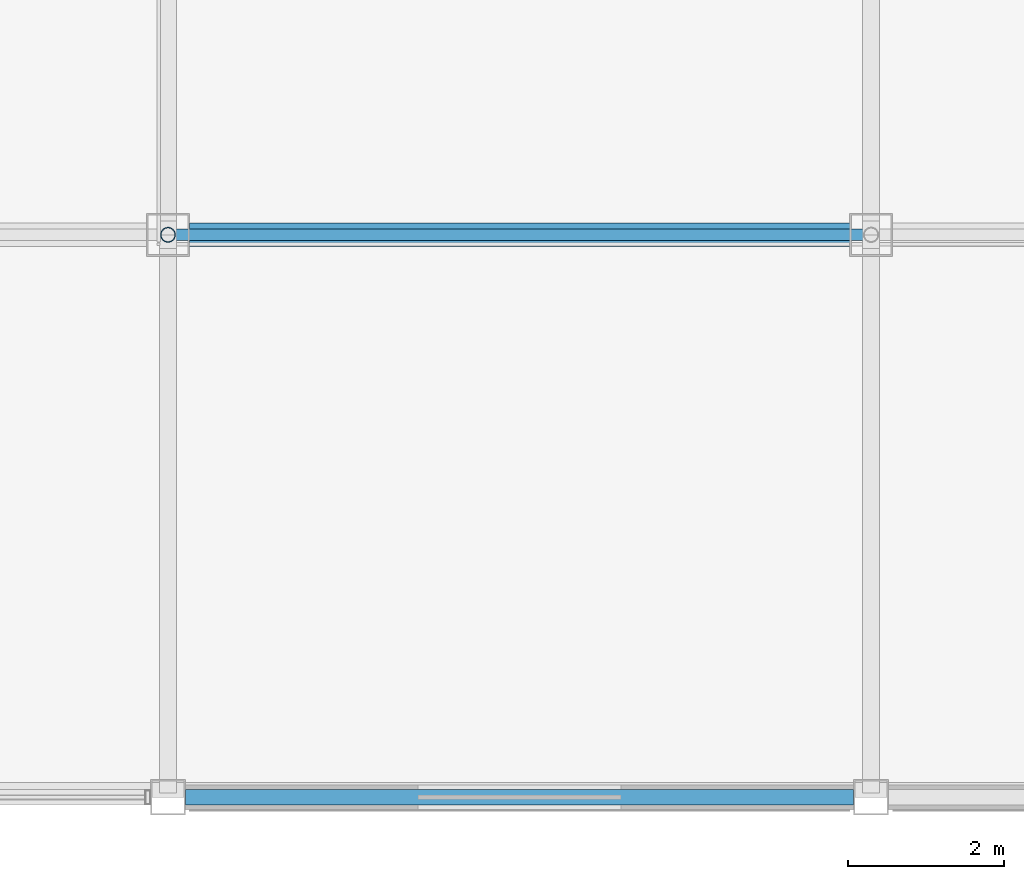
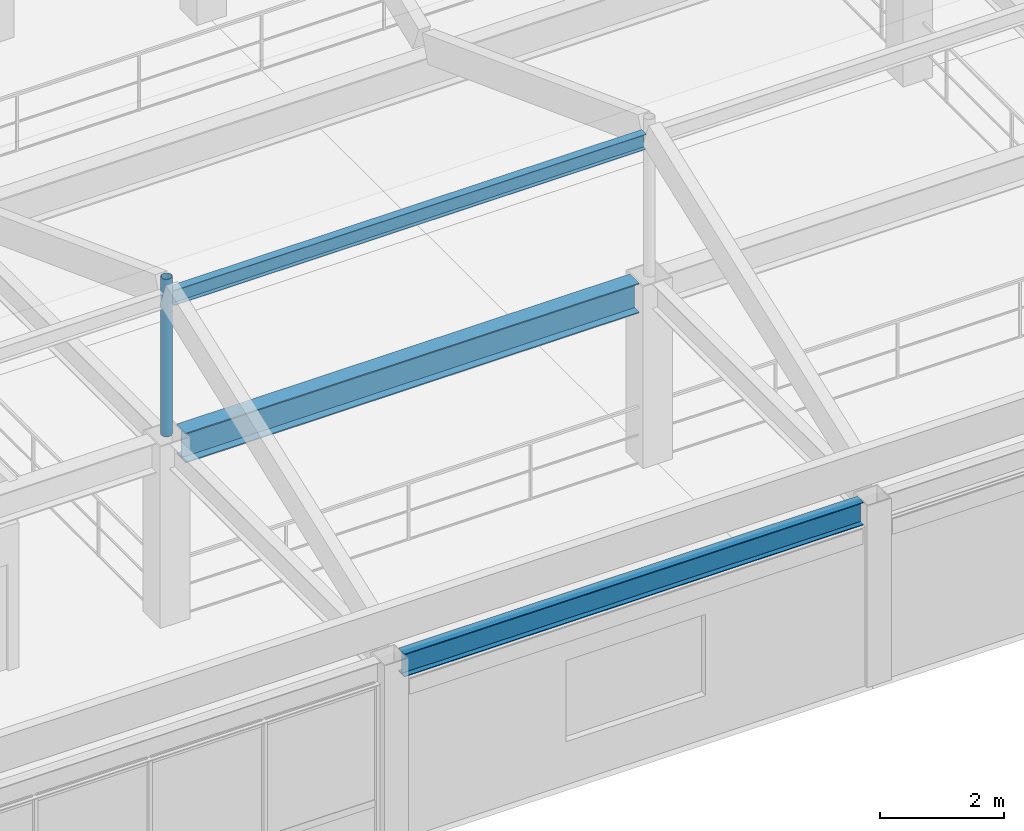
# One storey, part 12 of 113: 3 beams, 1 member.
"""IFC4 building model written with IfcOpenShell, lengths in metres."""

from ifc_helpers import new_model, si_unit, direction, frame, origin, origin_2d, place, context, subcontext, project, spatial, hollow_circle, i_section, extrude, material, material_profile, profile_set, type_object, element, save


model = new_model("IFC4")

# Units and contexts
model_context = context("Model", 3, precision=1e-05, world=origin(), true_north=direction((0.0, 1.0)))
body_context = subcontext(model_context, "Body", "Model", "MODEL_VIEW")
ifc_project = project(units=[si_unit("LENGTHUNIT", "METRE"), si_unit("AREAUNIT", "SQUARE_METRE"), si_unit("VOLUMEUNIT", "CUBIC_METRE"), si_unit("PLANEANGLEUNIT", "RADIAN"), si_unit("MASSUNIT", "GRAM", prefix="KILO")], contexts=[model_context])

# Site, building, storey
site_placement = place(None, origin())
site = spatial("IfcSite", under=ifc_project, at=site_placement, CompositionType="ELEMENT")
building_placement = place(site_placement, origin())
building = spatial("IfcBuilding", under=site, at=building_placement, Name="Kazanami Central Library", CompositionType="ELEMENT")
storey_placement = place(building_placement, frame((0.0, 0.0, 8.800048828125)))
storey = spatial("IfcBuildingStorey", under=building, at=storey_placement, Name="L03", CompositionType="ELEMENT", Elevation=8.800048828125)

# Beams
ifc_material_1 = material(Name="Steel SN490B (325 MPa)", Category="steel")
ifc_material_profile_1 = material_profile(ifc_material_1, i_section(OverallWidth=0.14990234375, OverallDepth=0.300048828125, WebThickness=0.006591796875, FlangeThickness=0.009033203125, at=origin_2d()), Name="H-300x150x6.5x9")
ifc_profile_set_1 = profile_set([ifc_material_profile_1], Name="Steel SN490B (325 MPa)")
beam_type_1 = type_object("IfcBeamType", Name="BM-CAN-300", PredefinedType="SPANDREL", material=ifc_profile_set_1)
beam_1_placement = place(storey_placement, frame((9.097900390625, 7.199951171875, 6.260009765625), z_axis=(1.0, 0.0, 0.0), x_axis=(0.0, 1.0, 0.0)))
element("IfcBeam", 1, at=beam_1_placement, inside=storey, type_object=beam_type_1, Name="Folded Shell Ridge Girder FOLD-L03-V3-S Bay 2", PredefinedType="BEAM", context=body_context, shape_type="SweptSolid", body=[
    extrude(i_section(OverallWidth=0.14990234375, OverallDepth=0.300048828125, WebThickness=0.006591796875, FlangeThickness=0.009033203125, at=origin_2d()), origin(), (0.0, 0.0, 1.0), 8.80419921875),
])
ifc_material_profile_2 = material_profile(ifc_material_1, i_section(OverallWidth=0.300048828125, OverallDepth=0.587890625, WebThickness=0.011962890625, FlangeThickness=0.02001953125, at=origin_2d()), Name="H-588x300x12x20")
ifc_profile_set_2 = profile_set([ifc_material_profile_2], Name="Steel SN490B (325 MPa)")
beam_type_2 = type_object("IfcBeamType", Name="BM-G-X2", PredefinedType="BEAM", material=ifc_profile_set_2)
beam_2_placement = place(storey_placement, frame((9.27294921875, 7.199951171875, 3.285888671875), z_axis=(1.0, 0.0, 0.0), x_axis=(0.0, 1.0, 0.0)))
element("IfcBeam", 2, at=beam_2_placement, inside=storey, type_object=beam_type_2, Name="Girder G-X2 L03 B/2-3", PredefinedType="BEAM", context=body_context, shape_type="SweptSolid", body=[
    extrude(i_section(OverallWidth=0.300048828125, OverallDepth=0.587890625, WebThickness=0.011962890625, FlangeThickness=0.02001953125, at=origin_2d()), origin(), (0.0, 0.0, 1.0), 8.4541015625),
])
ifc_material_profile_3 = material_profile(ifc_material_1, i_section(OverallWidth=0.199951171875, OverallDepth=0.449951171875, WebThickness=0.009033203125, FlangeThickness=0.013916015625, at=origin_2d()), Name="H-450x200x9x14")
ifc_profile_set_3 = profile_set([ifc_material_profile_3], Name="Steel SN490B (325 MPa)")
beam_type_3 = type_object("IfcBeamType", Name="BM-SP-2", PredefinedType="SPANDREL", material=ifc_profile_set_3)
beam_3_placement = place(storey_placement, frame((9.222900390625, 0.0, 3.35498046875), z_axis=(1.0, 0.0, 0.0), x_axis=(0.0, 1.0, 0.0)))
element("IfcBeam", 3, at=beam_3_placement, inside=storey, type_object=beam_type_3, Name="Girder SP-2 L03 A/2-3", PredefinedType="SPANDREL", context=body_context, shape_type="SweptSolid", body=[
    extrude(i_section(OverallWidth=0.199951171875, OverallDepth=0.449951171875, WebThickness=0.009033203125, FlangeThickness=0.013916015625, at=origin_2d()), origin(), (0.0, 0.0, 1.0), 8.55419921875),
])

# Member
ifc_material_2 = material(Name="Steel STK490 (315 MPa)", Category="steel")
ifc_material_profile_4 = material_profile(ifc_material_2, hollow_circle(Radius=0.095458984375, WallThickness=0.007080078125, at=origin_2d()), Name="CHS-190.7x7.0")
ifc_profile_set_4 = profile_set([ifc_material_profile_4], Name="Steel STK490 (315 MPa)")
member_type = type_object("IfcMemberType", Name="MEM-VST-190", PredefinedType="STRUT", material=ifc_profile_set_4)
member_placement = place(storey_placement, frame((9.0, 7.199951171875, 3.579833984375), z_axis=(0.0, 0.0, 1.0), x_axis=(1.0, 0.0, 0.0)))
element("IfcMember", 4, at=member_placement, inside=storey, type_object=member_type, Name="Folded Shell Ridge Strut Post FOLD-L03-V3-S Grid 2", PredefinedType="POST", context=body_context, shape_type="SweptSolid", body=[
    extrude(hollow_circle(Radius=0.095458984375, WallThickness=0.007080078125, at=origin_2d()), origin(), (0.0, 0.0, 1.0), 3.1025390625),
])

save(model, "model.ifc")
